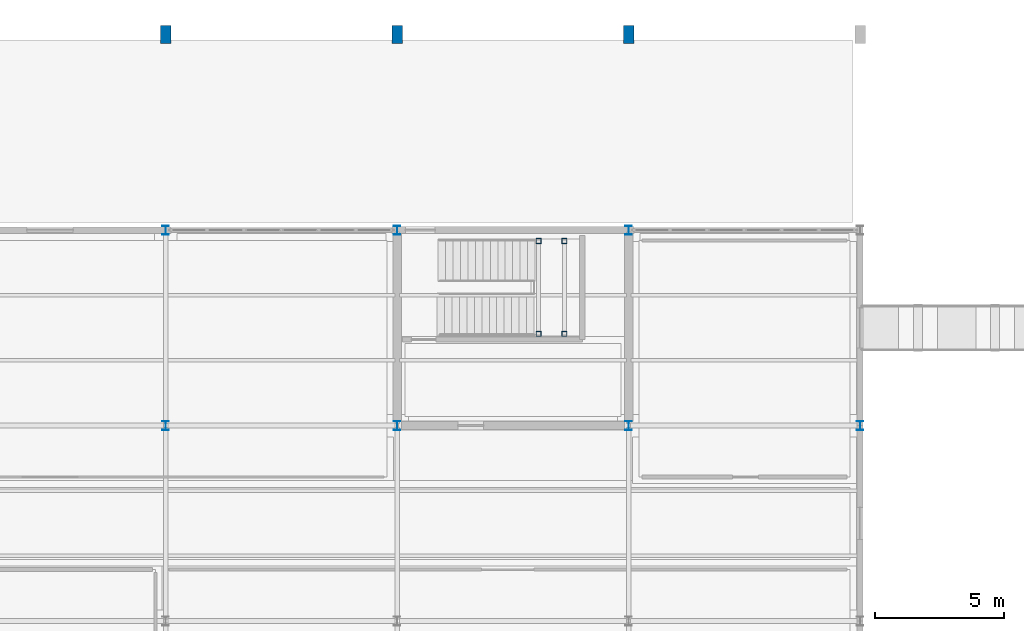
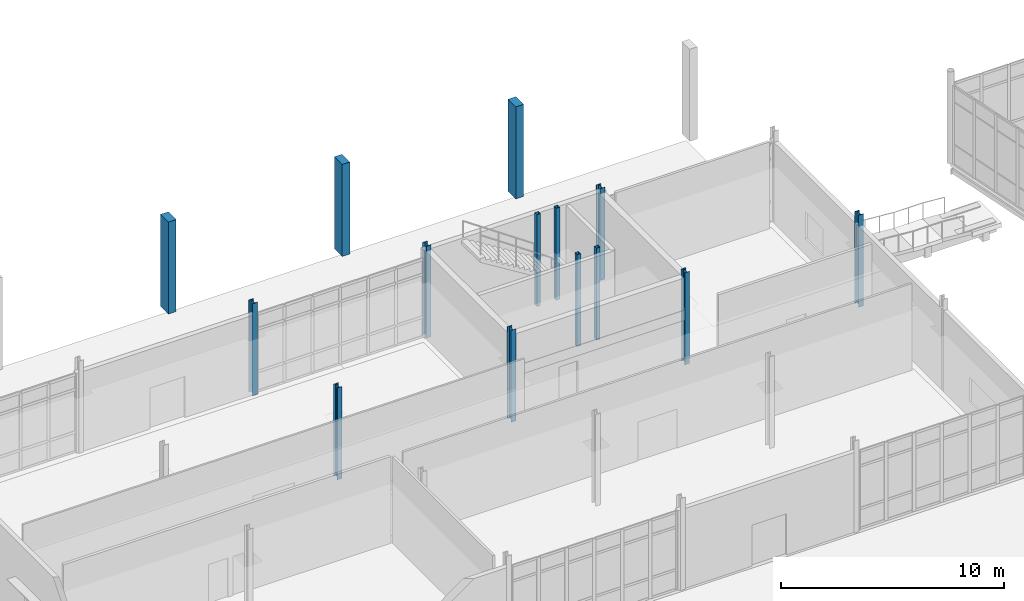
# One storey, part 23 of 161: 14 columns.
"""IFC4 building model written with IfcOpenShell, lengths in metres."""

from ifc_helpers import new_model, si_unit, direction, frame, origin, origin_2d, place, context, subcontext, project, spatial, rectangle, hollow_rectangle, i_section, extrude, material, material_profile, profile_set, type_object, element, save


model = new_model("IFC4")

# Units and contexts
model_context = context("Model", 3, precision=1e-05, world=origin(), true_north=direction((0.0, 1.0)))
body_context = subcontext(model_context, "Body", "Model", "MODEL_VIEW")
ifc_project = project(units=[si_unit("LENGTHUNIT", "METRE"), si_unit("AREAUNIT", "SQUARE_METRE"), si_unit("VOLUMEUNIT", "CUBIC_METRE"), si_unit("PLANEANGLEUNIT", "RADIAN"), si_unit("MASSUNIT", "GRAM", prefix="KILO")], contexts=[model_context])

# Site, building, storey
site_placement = place(None, origin())
site = spatial("IfcSite", under=ifc_project, at=site_placement, CompositionType="ELEMENT")
building_placement = place(site_placement, origin())
building = spatial("IfcBuilding", under=site, at=building_placement, Name="Caisbarro Railhouse Central Library", CompositionType="ELEMENT")
storey_placement = place(building_placement, origin())
storey = spatial("IfcBuildingStorey", under=building, at=storey_placement, Name="L00", CompositionType="ELEMENT", Elevation=0.0)

# Columns
ifc_material_1 = material(Name="Steel ASTM A572 Grade 50", Category="steel")
ifc_material_profile_1 = material_profile(ifc_material_1, i_section(OverallWidth=0.25390625, OverallDepth=0.35302734375, WebThickness=0.009521484375, FlangeThickness=0.016357421875, FilletRadius=0.014892578125, at=origin_2d()), Name="W360X91.0")
ifc_profile_set_1 = profile_set([ifc_material_profile_1], Name="Steel ASTM A572 Grade 50")
column_type_1 = type_object("IfcColumnType", Name="COL-C05", PredefinedType="COLUMN", material=ifc_profile_set_1)
for number, where, z_axis, x_axis, name in (
    (1, (72.0, 98.800048828125, 0.0), (0.0, 0.0, 1.0), (1.0, 0.0, 0.0), "C05 column L00 (72.0,98.8)"),
    (2, (72.0, 106.39990234375, 0.0), (0.0, 0.0, 1.0), (1.0, 0.0, 0.0), "C05 column L00 (72.0,106.4)"),
    (3, (81.0, 98.800048828125, 0.0), (0.0, 0.0, 1.0), (1.0, 0.0, 0.0), "C05 column L00 (81.0,98.8)"),
    (4, (81.0, 106.39990234375, 0.0), (0.0, 0.0, 1.0), (1.0, 0.0, 0.0), "C05 column L00 (81.0,106.4)"),
    (5, (90.0, 98.800048828125, 0.0), (0.0, 0.0, 1.0), (1.0, 0.0, 0.0), "C05 column L00 (90.0,98.8)"),
    (6, (90.0, 106.39990234375, 0.0), (0.0, 0.0, 1.0), (1.0, 0.0, 0.0), "C05 column L00 (90.0,106.4)"),
    (7, (99.0, 98.800048828125, 0.0), (0.0, 0.0, 1.0), (1.0, 0.0, 0.0), "C05 column L00 (99.0,98.8)"),
):
    element("IfcColumn", number, at=place(storey_placement, frame(where, z_axis=z_axis, x_axis=x_axis)), inside=storey, type_object=column_type_1, Name=name, PredefinedType="COLUMN", context=body_context, shape_type="SweptSolid", body=[
        extrude(i_section(OverallWidth=0.25390625, OverallDepth=0.35302734375, WebThickness=0.009521484375, FlangeThickness=0.016357421875, FilletRadius=0.014892578125, at=origin_2d()), origin(), (0.0, 0.0, 1.0), 5.0400390625),
    ])
ifc_material_profile_2 = material_profile(ifc_material_1, hollow_rectangle(XDim=0.199951171875, YDim=0.199951171875, WallThickness=0.012451171875, at=origin_2d()), Name="HSS200X200X12.5")
ifc_profile_set_2 = profile_set([ifc_material_profile_2], Name="Steel ASTM A572 Grade 50")
column_type_2 = type_object("IfcColumnType", Name="COL-C10", PredefinedType="COLUMN", material=ifc_profile_set_2)
for number, where, z_axis, x_axis, name in (
    (8, (86.5, 102.3701171875, 0.0), (0.0, 0.0, 1.0), (1.0, 0.0, 0.0), "C10 Stair Landing Post K5 L00.1"),
    (9, (86.5, 105.97998046875, 0.0), (0.0, 0.0, 1.0), (1.0, 0.0, 0.0), "C10 Stair Landing Post K5 L00.2"),
    (10, (87.5, 102.3701171875, 0.0), (0.0, 0.0, 1.0), (1.0, 0.0, 0.0), "C10 Stair Landing Post K5 L00.3"),
    (11, (87.5, 105.97998046875, 0.0), (0.0, 0.0, 1.0), (1.0, 0.0, 0.0), "C10 Stair Landing Post K5 L00.4"),
):
    element("IfcColumn", number, at=place(storey_placement, frame(where, z_axis=z_axis, x_axis=x_axis)), inside=storey, type_object=column_type_2, Name=name, PredefinedType="COLUMN", context=body_context, shape_type="SweptSolid", body=[
        extrude(hollow_rectangle(XDim=0.199951171875, YDim=0.199951171875, WallThickness=0.012451171875, at=origin_2d()), origin(), (0.0, 0.0, 1.0), 5.0400390625),
    ])
ifc_material_2 = material(Name="Concrete C40", Category="concrete")
ifc_material_profile_3 = material_profile(ifc_material_2, rectangle(XDim=0.39990234375, YDim=0.699951171875, at=origin_2d()), Name="RC-PIL-400X700")
ifc_profile_set_3 = profile_set([ifc_material_profile_3], Name="Concrete C40")
column_type_3 = type_object("IfcColumnType", Name="PIL-P02", PredefinedType="PILASTER", material=ifc_profile_set_3)
for number, where, z_axis, x_axis, name in (
    (12, (72.0, 114.0, 0.0), (0.0, 0.0, 1.0), (1.0, 0.0, 0.0), "PL02 column L00 (72.0,114.0)"),
    (13, (81.0, 114.0, 0.0), (0.0, 0.0, 1.0), (1.0, 0.0, 0.0), "PL02 column L00 (81.0,114.0)"),
    (14, (90.0, 114.0, 0.0), (0.0, 0.0, 1.0), (1.0, 0.0, 0.0), "PL02 column L00 (90.0,114.0)"),
):
    element("IfcColumn", number, at=place(storey_placement, frame(where, z_axis=z_axis, x_axis=x_axis)), inside=storey, type_object=column_type_3, Name=name, PredefinedType="PILASTER", context=body_context, shape_type="SweptSolid", body=[
        extrude(rectangle(XDim=0.39990234375, YDim=0.699951171875, at=origin_2d()), origin(), (0.0, 0.0, 1.0), 5.0400390625),
    ])

save(model, "model.ifc")
